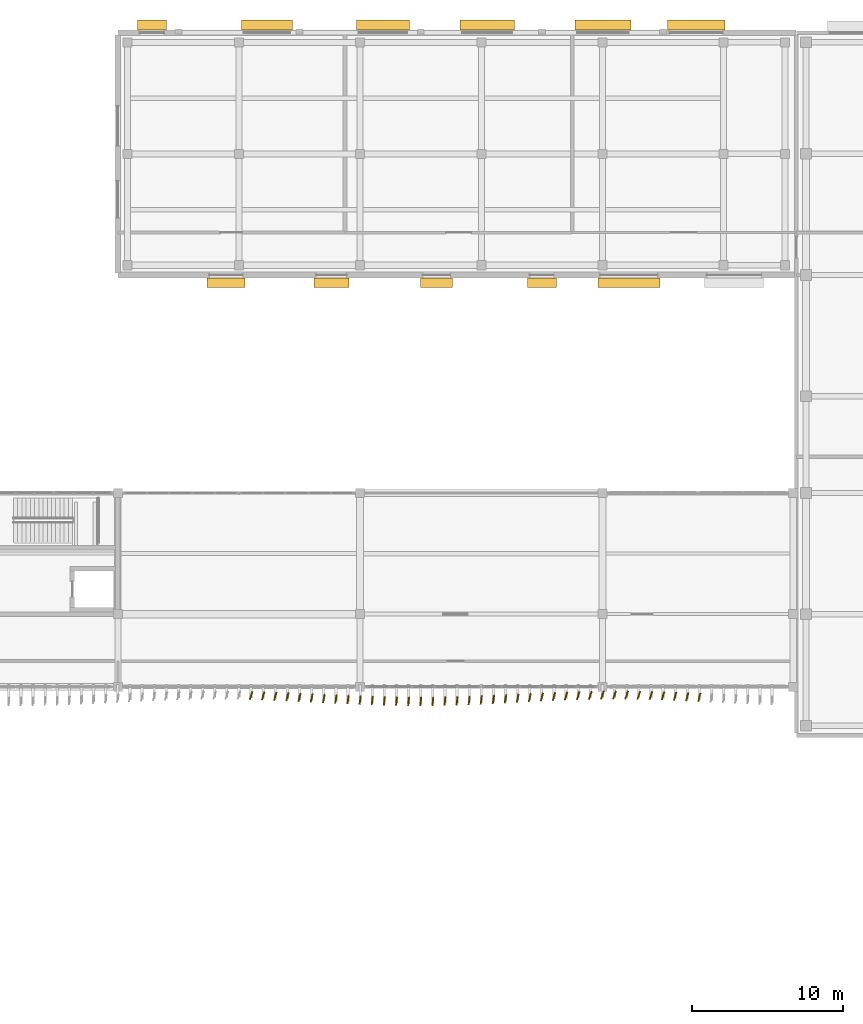
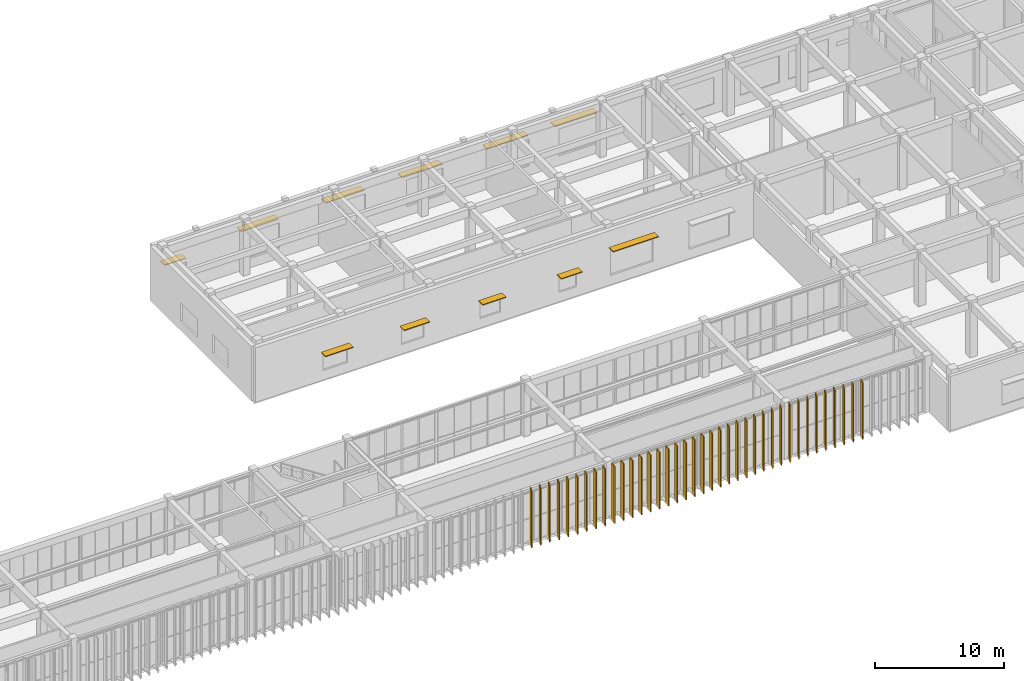
# One storey, part 59 of 64: 38 coverings, 11 shading devices.
"""IFC4 building model written with IfcOpenShell, lengths in metres."""

from ifc_helpers import new_model, si_unit, direction, frame, origin, origin_2d, place, context, subcontext, project, spatial, rectangle, extrude, material, layer, layer_set, type_object, element, save


model = new_model("IFC4")

# Units and contexts
model_context = context("Model", 3, precision=1e-05, world=origin(), true_north=direction((0.0, 1.0)))
body_context = subcontext(model_context, "Body", "Model", "MODEL_VIEW")
ifc_project = project(units=[si_unit("LENGTHUNIT", "METRE"), si_unit("AREAUNIT", "SQUARE_METRE"), si_unit("VOLUMEUNIT", "CUBIC_METRE"), si_unit("PLANEANGLEUNIT", "RADIAN"), si_unit("MASSUNIT", "GRAM", prefix="KILO")], contexts=[model_context])

# Site, building, storey
site_placement = place(None, origin())
site = spatial("IfcSite", under=ifc_project, at=site_placement, CompositionType="ELEMENT")
building_placement = place(site_placement, origin())
building = spatial("IfcBuilding", under=site, at=building_placement, Name="Cinchona Park Media Centre", CompositionType="ELEMENT")
storey_placement = place(building_placement, frame((0.0, 0.0, 10.199951171875)))
storey = spatial("IfcBuildingStorey", under=building, at=storey_placement, Name="L02", CompositionType="ELEMENT", Elevation=10.199951171875)

# Coverings
ifc_material_1 = material(Name="Anodised Storm-Resistant Aluminium Fin", Category="aluminium")
ifc_layer = layer(ifc_material_1, 0.090087890625)
ifc_layer_set = layer_set([ifc_layer], Name="Anodised Storm-Resistant Aluminium Fin")
covering_type = type_object("IfcCoveringType", Name="CLADDING-FIN01", PredefinedType="CLADDING", material=ifc_layer_set)
for number, where, z_axis, x_axis, name in (
    (1, (103.60009765625, 74.23193359375, 0.0), (0.0, 0.0, 1.0), (0.3265581205, 0.945177123049, 0.0), "Twisting Vertical Facade Fin L02"),
    (2, (104.39990234375, 74.208984375, 0.0), (0.0, 0.0, 1.0), (0.31382674518, 0.949480265203, 0.0), "Twisting Vertical Facade Fin L02"),
    (3, (105.199951171875, 74.179931640625, 0.0), (0.0, 0.0, 1.0), (0.297874744877, 0.954604963513, 0.0), "Twisting Vertical Facade Fin L02"),
    (4, (106.0, 74.14599609375, 0.0), (0.0, 0.0, 1.0), (0.279158704655, 0.960244977917, 0.0), "Twisting Vertical Facade Fin L02"),
    (5, (106.800048828125, 74.10888671875, 0.0), (0.0, 0.0, 1.0), (0.258313252067, 0.966061211211, 0.0), "Twisting Vertical Facade Fin L02"),
    (6, (107.60009765625, 74.070068359375, 0.0), (0.0, 0.0, 1.0), (0.236329411694, 0.971672994977, 0.0), "Twisting Vertical Facade Fin L02"),
    (7, (108.39990234375, 74.030029296875, 0.0), (0.0, 0.0, 1.0), (0.213541936916, 0.97693389806, 0.0), "Twisting Vertical Facade Fin L02"),
    (8, (109.199951171875, 73.990966796875, 0.0), (0.0, 0.0, 1.0), (0.191322947989, 0.981527141537, 0.0), "Twisting Vertical Facade Fin L02"),
    (9, (110.0, 73.9541015625, 0.0), (0.0, 0.0, 1.0), (0.170037510451, 0.985437590637, 0.0), "Twisting Vertical Facade Fin L02"),
    (10, (110.800048828125, 73.919921875, 0.0), (0.0, 0.0, 1.0), (0.150743225348, 0.988572951285, 0.0), "Twisting Vertical Facade Fin L02"),
    (11, (111.60009765625, 73.89111328125, 0.0), (0.0, 0.0, 1.0), (0.134159142573, 0.990959799621, 0.0), "Twisting Vertical Facade Fin L02"),
    (12, (112.39990234375, 73.867919921875, 0.0), (0.0, 0.0, 1.0), (0.120829884873, 0.992673228672, 0.0), "Twisting Vertical Facade Fin L02"),
    (13, (113.199951171875, 73.85205078125, 0.0), (0.0, 0.0, 1.0), (0.111122034978, 0.993806768614, 0.0), "Twisting Vertical Facade Fin L02"),
    (14, (114.0, 73.842041015625, 0.0), (0.0, 0.0, 1.0), (0.105743422663, 0.994393447567, 0.0), "Twisting Vertical Facade Fin L02"),
    (15, (114.800048828125, 73.840087890625, 0.0), (0.0, 0.0, 1.0), (0.10470203849, 0.994503636562, 0.0), "Twisting Vertical Facade Fin L02"),
    (16, (115.60009765625, 73.845947265625, 0.0), (0.0, 0.0, 1.0), (0.107999355706, 0.994150963972, 0.0), "Twisting Vertical Facade Fin L02"),
    (17, (116.39990234375, 73.85888671875, 0.0), (0.0, 0.0, 1.0), (0.115457263478, 0.993312448482, 0.0), "Twisting Vertical Facade Fin L02"),
    (18, (117.199951171875, 73.87890625, 0.0), (0.0, 0.0, 1.0), (0.127064608601, 0.99189444259, 0.0), "Twisting Vertical Facade Fin L02"),
    (19, (118.0, 73.905029296875, 0.0), (0.0, 0.0, 1.0), (0.142110668555, 0.989850775563, 0.0), "Twisting Vertical Facade Fin L02"),
    (20, (118.800048828125, 73.93603515625, 0.0), (0.0, 0.0, 1.0), (0.160225753504, 0.987080395872, 0.0), "Twisting Vertical Facade Fin L02"),
    (21, (119.60009765625, 73.971923828125, 0.0), (0.0, 0.0, 1.0), (0.180519145251, 0.983571470813, 0.0), "Twisting Vertical Facade Fin L02"),
    (22, (120.39990234375, 74.010009765625, 0.0), (0.0, 0.0, 1.0), (0.202445469766, 0.979293537082, 0.0), "Twisting Vertical Facade Fin L02"),
    (23, (121.199951171875, 74.050048828125, 0.0), (0.0, 0.0, 1.0), (0.224951054344, 0.974370064785, 0.0), "Twisting Vertical Facade Fin L02"),
    (24, (122.0, 74.090087890625, 0.0), (0.0, 0.0, 1.0), (0.247337247968, 0.968929453452, 0.0), "Twisting Vertical Facade Fin L02"),
    (25, (122.800048828125, 74.1279296875, 0.0), (0.0, 0.0, 1.0), (0.268919820615, 0.963162566798, 0.0), "Twisting Vertical Facade Fin L02"),
    (26, (123.60009765625, 74.1640625, 0.0), (0.0, 0.0, 1.0), (0.288697611798, 0.957420330337, 0.0), "Twisting Vertical Facade Fin L02"),
    (27, (124.39990234375, 74.195068359375, 0.0), (0.0, 0.0, 1.0), (0.306193796821, 0.951969200546, 0.0), "Twisting Vertical Facade Fin L02"),
    (28, (125.199951171875, 74.220947265625, 0.0), (0.0, 0.0, 1.0), (0.320612990586, 0.947210277746, 0.0), "Twisting Vertical Facade Fin L02"),
    (29, (126.0, 74.240966796875, 0.0), (0.0, 0.0, 1.0), (0.331667216146, 0.943396447807, 0.0), "Twisting Vertical Facade Fin L02"),
    (30, (126.800048828125, 74.25390625, 0.0), (0.0, 0.0, 1.0), (0.338737920245, 0.940880768954, 0.0), "Twisting Vertical Facade Fin L02"),
    (31, (127.60009765625, 74.260009765625, 0.0), (0.0, 0.0, 1.0), (0.341856130815, 0.939752300249, 0.0), "Twisting Vertical Facade Fin L02"),
    (32, (128.39990234375, 74.258056640625, 0.0), (0.0, 0.0, 1.0), (0.340871837244, 0.94010977581, 0.0), "Twisting Vertical Facade Fin L02"),
    (33, (129.199951171875, 74.248046875, 0.0), (0.0, 0.0, 1.0), (0.335780389393, 0.941940300709, 0.0), "Twisting Vertical Facade Fin L02"),
    (34, (130.0, 74.23193359375, 0.0), (0.0, 0.0, 1.0), (0.3265581205, 0.945177123049, 0.0), "Twisting Vertical Facade Fin L02"),
    (35, (130.800048828125, 74.208984375, 0.0), (0.0, 0.0, 1.0), (0.31382674518, 0.949480265203, 0.0), "Twisting Vertical Facade Fin L02"),
    (36, (131.60009765625, 74.179931640625, 0.0), (0.0, 0.0, 1.0), (0.297874744877, 0.954604963513, 0.0), "Twisting Vertical Facade Fin L02"),
    (37, (132.39990234375, 74.14599609375, 0.0), (0.0, 0.0, 1.0), (0.279158704655, 0.960244977917, 0.0), "Twisting Vertical Facade Fin L02"),
    (38, (133.199951171875, 74.10888671875, 0.0), (0.0, 0.0, 1.0), (0.258313252067, 0.966061211211, 0.0), "Twisting Vertical Facade Fin L02"),
):
    element("IfcCovering", number, at=place(storey_placement, frame(where, z_axis=z_axis, x_axis=x_axis)), inside=storey, type_object=covering_type, Name=name, PredefinedType="CLADDING", context=body_context, shape_type="SweptSolid", body=[
        extrude(rectangle(XDim=0.56005859375, YDim=0.090087890625, at=origin_2d()), origin(), (0.0, 0.0, 1.0), 5.39990234375),
    ])

# Shading devices
ifc_material_2 = material(Name="Anodised Aluminium Horizontal Brise-Soleil", Category="aluminium")
shading_device_type = type_object("IfcShadingDeviceType", Name="SHADING-SUN01", PredefinedType="AWNING", material=ifc_material_2)
shading_device_1_placement = place(storey_placement, frame((97.050048828125, 118.510009765625, 2.570068359375), z_axis=(0.0, 0.0, 1.0), x_axis=(1.0, 0.0, 0.0)))
element("IfcShadingDevice", 39, at=shading_device_1_placement, inside=storey, type_object=shading_device_type, Name="Horizontal Sunshade SHD02 L02", PredefinedType="AWNING", context=body_context, shape_type="SweptSolid", body=[
    extrude(rectangle(XDim=1.89990234375, YDim=0.64990234375, at=origin_2d()), origin(), (0.0, 0.0, 1.0), 0.080078125),
])
shading_device_2_placement = place(storey_placement, frame((104.64990234375, 118.510009765625, 3.3701171875), z_axis=(0.0, 0.0, 1.0), x_axis=(1.0, 0.0, 0.0)))
element("IfcShadingDevice", 40, at=shading_device_2_placement, inside=storey, type_object=shading_device_type, Name="Horizontal Sunshade SHD02 L02", PredefinedType="AWNING", context=body_context, shape_type="SweptSolid", body=[
    extrude(rectangle(XDim=3.39990234375, YDim=0.64990234375, at=origin_2d()), origin(), (0.0, 0.0, 1.0), 0.080078125),
])
shading_device_3_placement = place(storey_placement, frame((112.300048828125, 118.510009765625, 3.419921875), z_axis=(0.0, 0.0, 1.0), x_axis=(1.0, 0.0, 0.0)))
element("IfcShadingDevice", 41, at=shading_device_3_placement, inside=storey, type_object=shading_device_type, Name="Horizontal Sunshade SHD02 L02", PredefinedType="AWNING", context=body_context, shape_type="SweptSolid", body=[
    extrude(rectangle(XDim=3.5, YDim=0.64990234375, at=origin_2d()), origin(), (0.0, 0.0, 1.0), 0.080078125),
])
shading_device_4_placement = place(storey_placement, frame((119.199951171875, 118.510009765625, 3.419921875), z_axis=(0.0, 0.0, 1.0), x_axis=(1.0, 0.0, 0.0)))
element("IfcShadingDevice", 42, at=shading_device_4_placement, inside=storey, type_object=shading_device_type, Name="Horizontal Sunshade SHD02 L02", PredefinedType="AWNING", context=body_context, shape_type="SweptSolid", body=[
    extrude(rectangle(XDim=3.60009765625, YDim=0.64990234375, at=origin_2d()), origin(), (0.0, 0.0, 1.0), 0.080078125),
])
shading_device_5_placement = place(storey_placement, frame((126.85009765625, 118.510009765625, 3.469970703125), z_axis=(0.0, 0.0, 1.0), x_axis=(1.0, 0.0, 0.0)))
element("IfcShadingDevice", 43, at=shading_device_5_placement, inside=storey, type_object=shading_device_type, Name="Horizontal Sunshade SHD02 L02", PredefinedType="AWNING", context=body_context, shape_type="SweptSolid", body=[
    extrude(rectangle(XDim=3.699951171875, YDim=0.64990234375, at=origin_2d()), origin(), (0.0, 0.0, 1.0), 0.080078125),
])
shading_device_6_placement = place(storey_placement, frame((133.0, 118.510009765625, 3.469970703125), z_axis=(0.0, 0.0, 1.0), x_axis=(1.0, 0.0, 0.0)))
element("IfcShadingDevice", 44, at=shading_device_6_placement, inside=storey, type_object=shading_device_type, Name="Horizontal Sunshade SHD02 L02", PredefinedType="AWNING", context=body_context, shape_type="SweptSolid", body=[
    extrude(rectangle(XDim=3.800048828125, YDim=0.64990234375, at=origin_2d()), origin(), (0.0, 0.0, 1.0), 0.080078125),
])
shading_device_7_placement = place(storey_placement, frame((128.550048828125, 101.489990234375, 3.52001953125), z_axis=(0.0, 0.0, 1.0), x_axis=(-1.0, 0.0, 0.0)))
element("IfcShadingDevice", 45, at=shading_device_7_placement, inside=storey, type_object=shading_device_type, Name="Horizontal Sunshade SHD02 L02", PredefinedType="AWNING", context=body_context, shape_type="SweptSolid", body=[
    extrude(rectangle(XDim=4.10009765625, YDim=0.64990234375, at=origin_2d()), origin(), (0.0, 0.0, 1.0), 0.080078125),
])
shading_device_8_placement = place(storey_placement, frame((122.800048828125, 101.489990234375, 2.570068359375), z_axis=(0.0, 0.0, 1.0), x_axis=(-1.0, 0.0, 0.0)))
element("IfcShadingDevice", 46, at=shading_device_8_placement, inside=storey, type_object=shading_device_type, Name="Horizontal Sunshade SHD02 L02", PredefinedType="AWNING", context=body_context, shape_type="SweptSolid", body=[
    extrude(rectangle(XDim=1.89990234375, YDim=0.64990234375, at=origin_2d()), origin(), (0.0, 0.0, 1.0), 0.080078125),
])
shading_device_9_placement = place(storey_placement, frame((115.85009765625, 101.489990234375, 2.570068359375), z_axis=(0.0, 0.0, 1.0), x_axis=(-1.0, 0.0, 0.0)))
element("IfcShadingDevice", 47, at=shading_device_9_placement, inside=storey, type_object=shading_device_type, Name="Horizontal Sunshade SHD02 L02", PredefinedType="AWNING", context=body_context, shape_type="SweptSolid", body=[
    extrude(rectangle(XDim=2.10009765625, YDim=0.64990234375, at=origin_2d()), origin(), (0.0, 0.0, 1.0), 0.080078125),
])
shading_device_10_placement = place(storey_placement, frame((108.89990234375, 101.489990234375, 2.6201171875), z_axis=(0.0, 0.0, 1.0), x_axis=(-1.0, 0.0, 0.0)))
element("IfcShadingDevice", 48, at=shading_device_10_placement, inside=storey, type_object=shading_device_type, Name="Horizontal Sunshade SHD02 L02", PredefinedType="AWNING", context=body_context, shape_type="SweptSolid", body=[
    extrude(rectangle(XDim=2.300048828125, YDim=0.64990234375, at=origin_2d()), origin(), (0.0, 0.0, 1.0), 0.080078125),
])
shading_device_11_placement = place(storey_placement, frame((101.949951171875, 101.489990234375, 2.6201171875), z_axis=(0.0, 0.0, 1.0), x_axis=(-1.0, 0.0, 0.0)))
element("IfcShadingDevice", 49, at=shading_device_11_placement, inside=storey, type_object=shading_device_type, Name="Horizontal Sunshade SHD02 L02", PredefinedType="AWNING", context=body_context, shape_type="SweptSolid", body=[
    extrude(rectangle(XDim=2.5, YDim=0.64990234375, at=origin_2d()), origin(), (0.0, 0.0, 1.0), 0.080078125),
])

save(model, "model.ifc")
